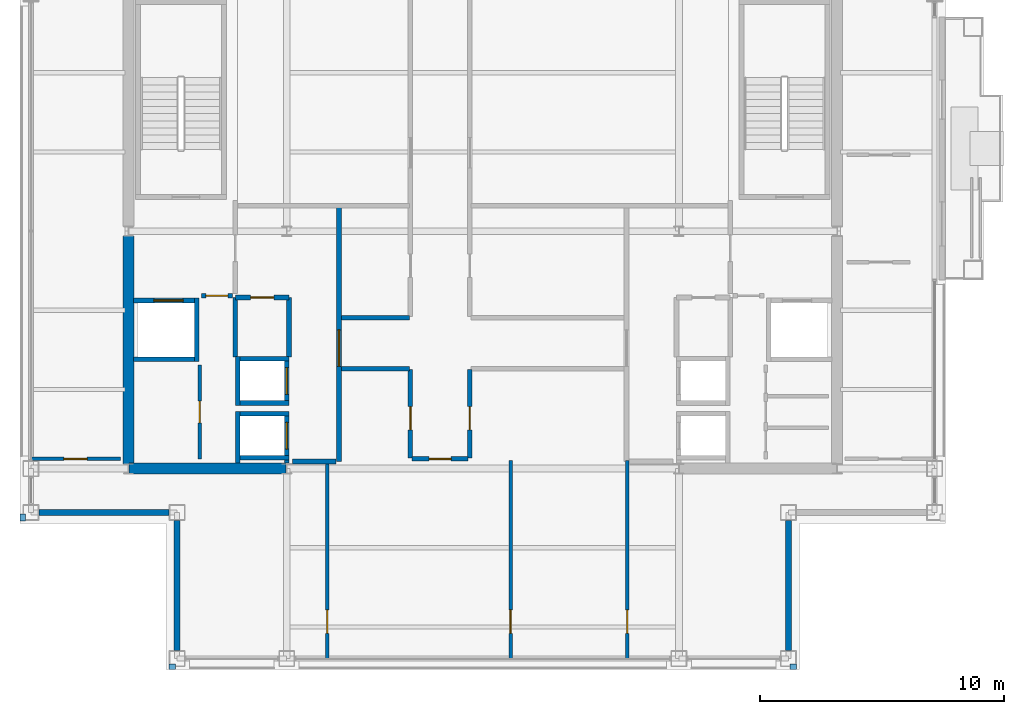
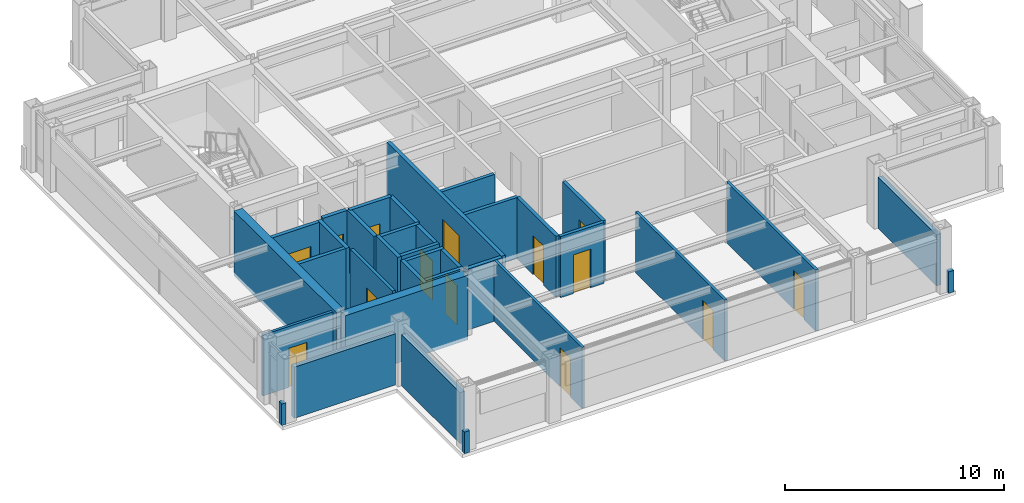
# One storey, part 19 of 24: 35 walls, 14 doors, 14 openings.
"""IFC4 building model written with IfcOpenShell, lengths in metres."""

from ifc_helpers import new_model, si_unit, direction, frame, frame_2d, origin, place, context, subcontext, project, spatial, rectangle, extrude, material, layer, layer_set, type_object, element, fill, save


model = new_model("IFC4")

# Units and contexts
model_context = context("Model", 3, precision=1e-05, world=origin(), true_north=direction((0.0, 1.0)))
body_context = subcontext(model_context, "Body", "Model", "MODEL_VIEW")
ifc_project = project(units=[si_unit("LENGTHUNIT", "METRE"), si_unit("AREAUNIT", "SQUARE_METRE"), si_unit("VOLUMEUNIT", "CUBIC_METRE"), si_unit("PLANEANGLEUNIT", "RADIAN"), si_unit("MASSUNIT", "GRAM", prefix="KILO")], contexts=[model_context])

# Site, building, storey
site_placement = place(None, origin())
site = spatial("IfcSite", under=ifc_project, at=site_placement, CompositionType="ELEMENT")
building_placement = place(site_placement, origin())
building = spatial("IfcBuilding", under=site, at=building_placement, Name="Brelmoor Portico Tower", CompositionType="ELEMENT")
storey_placement = place(building_placement, frame((0.0, 0.0, 229.199951171875)))
storey = spatial("IfcBuildingStorey", under=building, at=storey_placement, Name="L60", CompositionType="ELEMENT", Elevation=229.199951171875)

# Walls
ifc_material_1 = material(Name="Concrete C50", Category="concrete")
ifc_layer_1 = layer(ifc_material_1, 0.449951171875)
ifc_layer_set_1 = layer_set([ifc_layer_1], Name="Concrete C50")
wall_type_1 = type_object("IfcWallType", Name="WL-CORE-450", PredefinedType="SHEAR", material=ifc_layer_set_1)
wall_1_placement = place(storey_placement, frame((-14.530029296875, -9.75, -0.199951171875), z_axis=(0.0, 0.0, 1.0), x_axis=(1.0, 0.0, 0.0)))
element("IfcWall", 1, at=wall_1_placement, inside=storey, type_object=wall_type_1, Name="L60 WC South Shear Wall", PredefinedType="SHEAR", context=body_context, shape_type="SweptSolid", body=[
    extrude(rectangle(XDim=6.4599609375, YDim=0.449951171875, at=frame_2d((3.22998046875, 0.0))), origin(), (0.0, 0.0, 1.0), 3.60009765625),
])
wall_2_placement = place(storey_placement, frame((-14.550048828125, -9.550048828125, -0.199951171875), z_axis=(0.0, 0.0, 1.0), x_axis=(0.0, 1.0, 0.0)))
element("IfcWall", 2, at=wall_2_placement, inside=storey, type_object=wall_type_1, Name="L60 WC Outer South Shear Wall", PredefinedType="SHEAR", context=body_context, shape_type="SweptSolid", body=[
    extrude(rectangle(XDim=9.35009765625, YDim=0.449951171875, at=frame_2d((4.675048828125, 0.0))), origin(), (0.0, 0.0, 1.0), 3.60009765625),
])
ifc_material_2 = material(Name="Precast Concrete C40 Insulated Facade Wall", Category="concrete")
ifc_layer_2 = layer(ifc_material_2, 0.25)
ifc_layer_set_2 = layer_set([ifc_layer_2], Name="Precast Concrete C40 Insulated Facade Wall")
wall_type_2 = type_object("IfcWallType", Name="WL-EXT-250", PredefinedType="STANDARD", material=ifc_layer_set_2)
for number, where, z_axis, x_axis, name in (
    (3, (-18.215087890625, -11.550048828125, 0.0), (0.0, 0.0, 1.0), (1.0, 0.0, 0.0), "L60 Corner Notch Facade Wall NSWH1"),
    (4, (-12.550048828125, -17.215087890625, 0.0), (0.0, 0.0, 1.0), (0.0, 1.0, 0.0), "L60 Corner Notch Facade Wall NSWV1"),
    (5, (12.550048828125, -17.215087890625, 0.0), (0.0, 0.0, 1.0), (0.0, 1.0, 0.0), "L60 Corner Notch Facade Wall NSEV1"),
):
    element("IfcWall", number, at=place(storey_placement, frame(where, z_axis=z_axis, x_axis=x_axis)), inside=storey, type_object=wall_type_2, Name=name, PredefinedType="STANDARD", context=body_context, shape_type="SweptSolid", body=[
        extrude(rectangle(XDim=5.330078125, YDim=0.25, at=frame_2d((2.6650390625, 0.0))), origin(), (0.0, 0.0, 1.0), 2.85009765625),
    ])
ifc_material_3 = material(Name="Concrete C40 Parapet Upstand", Category="concrete")
ifc_layer_3 = layer(ifc_material_3, 0.219970703125)
ifc_layer_set_3 = layer_set([ifc_layer_3], Name="Concrete C40 Parapet Upstand")
wall_type_3 = type_object("IfcWallType", Name="WL-PARAPET-220", PredefinedType="PARAPET", material=ifc_layer_set_3)
for number, where, z_axis, x_axis, name in (
    (6, (-12.889892578125, -17.889892578125, 0.0), (0.0, 0.0, 1.0), (1.0, 0.0, 0.0), "L60 Chamfer Vertex Parapet Pier SW1"),
    (7, (-18.889892578125, -11.889892578125, 0.0), (0.0, 0.0, 1.0), (0.0, 1.0, 0.0), "L60 Chamfer Vertex Parapet Pier SW2"),
    (8, (12.6201171875, -17.889892578125, 0.0), (0.0, 0.0, 1.0), (1.0, 0.0, 0.0), "L60 Chamfer Vertex Parapet Pier SE1"),
):
    element("IfcWall", number, at=place(storey_placement, frame(where, z_axis=z_axis, x_axis=x_axis)), inside=storey, type_object=wall_type_3, Name=name, PredefinedType="PARAPET", context=body_context, shape_type="SweptSolid", body=[
        extrude(rectangle(XDim=0.269775390625, YDim=0.219970703125, at=frame_2d((0.134765625, 0.0))), origin(), (0.0, 0.0, 1.0), 1.199951171875),
    ])

# Wall, opening, door
ifc_material_4 = material(Name="Insulated Stud Suite Partition", Category="gypsum")
ifc_layer_4 = layer(ifc_material_4, 0.139892578125)
ifc_layer_set_4 = layer_set([ifc_layer_4], Name="Insulated Stud Suite Partition")
wall_type_4 = type_object("IfcWallType", Name="WL-PART-140", PredefinedType="PARTITIONING", material=ifc_layer_set_4)
wall_3_placement = place(storey_placement, frame((-6.3896484375, -17.56005859375, 0.0), z_axis=(0.0, 0.0, 1.0), x_axis=(0.0, 1.0, 0.0)))
wall_3 = element("IfcWall", 9, at=wall_3_placement, inside=storey, type_object=wall_type_4, Name="L60 South Suite Partition 1", PredefinedType="PARTITIONING", context=body_context, shape_type="SweptSolid", body=[
    extrude(rectangle(XDim=8.150146484375, YDim=0.139892578125, at=frame_2d((4.0751953125, 0.0))), origin(), (0.0, 0.0, 1.0), 3.400146484375),
])
opening_1_placement = place(wall_3_placement, frame((1.050048828125, 0.0, 0.0)))
opening_1 = element("IfcOpeningElement", 10, at=opening_1_placement, cuts=wall_3, Name="Opening D-IN2", PredefinedType="OPENING", context=body_context, shape_type="SweptSolid", body=[
    extrude(rectangle(XDim=0.9599609375, YDim=2.179931640625, at=frame_2d((0.47998046875, 1.08984375))), frame((0.0, 0.079833984375, 0.0), z_axis=(0.0, -1.0, 0.0), x_axis=(1.0, 0.0, 0.0)), (0.0, 0.0, 1.0), 0.159912109375),
])
ifc_material_5 = material(Name="Lacquered Timber Suite Door", Category="wood")
door_type_1 = type_object("IfcDoorType", Name="DR-INT-950", OperationType="NOTDEFINED", PredefinedType="DOOR", material=ifc_material_5)
door_1_placement = place(opening_1_placement, origin())
door_1 = element("IfcDoor", 11, at=door_1_placement, inside=storey, type_object=door_type_1, Name="D-2495 L60 South Suite Connecting Door 1", OperationType="SINGLE_SWING_LEFT", OverallHeight=2.179931640625, OverallWidth=0.9599609375, PredefinedType="DOOR", context=body_context, shape_type="SweptSolid", body=[
    extrude(rectangle(XDim=0.9599609375, YDim=2.179931640625, at=frame_2d((0.47998046875, 1.08984375))), frame((0.0, 0.02490234375, 0.0), z_axis=(0.0, -1.0, 0.0), x_axis=(1.0, 0.0, 0.0)), (0.0, 0.0, 1.0), 0.050048828125),
])
fill(opening_1, door_1)

wall_4_placement = place(storey_placement, frame((1.14111328125, -17.56005859375, 0.0), z_axis=(0.0, 0.0, 1.0), x_axis=(0.0, 1.0, 0.0)))
wall_4 = element("IfcWall", 12, at=wall_4_placement, inside=storey, type_object=wall_type_4, Name="L60 South Suite Partition 2", PredefinedType="PARTITIONING", context=body_context, shape_type="SweptSolid", body=[
    extrude(rectangle(XDim=8.150146484375, YDim=0.139892578125, at=frame_2d((4.0751953125, 0.0))), origin(), (0.0, 0.0, 1.0), 3.400146484375),
])
opening_2_placement = place(wall_4_placement, frame((1.050048828125, 0.0, 0.0)))
opening_2 = element("IfcOpeningElement", 13, at=opening_2_placement, cuts=wall_4, Name="Opening D-IN2", PredefinedType="OPENING", context=body_context, shape_type="SweptSolid", body=[
    extrude(rectangle(XDim=0.9599609375, YDim=2.179931640625, at=frame_2d((0.47998046875, 1.08984375))), frame((0.0, 0.079833984375, 0.0), z_axis=(0.0, -1.0, 0.0), x_axis=(1.0, 0.0, 0.0)), (0.0, 0.0, 1.0), 0.159912109375),
])
door_2_placement = place(opening_2_placement, origin())
door_2 = element("IfcDoor", 14, at=door_2_placement, inside=storey, type_object=door_type_1, Name="D-2496 L60 South Suite Connecting Door 2", OperationType="SINGLE_SWING_RIGHT", OverallHeight=2.179931640625, OverallWidth=0.9599609375, PredefinedType="DOOR", context=body_context, shape_type="SweptSolid", body=[
    extrude(rectangle(XDim=0.9599609375, YDim=2.179931640625, at=frame_2d((0.47998046875, 1.08984375))), frame((0.0, 0.02490234375, 0.0), z_axis=(0.0, -1.0, 0.0), x_axis=(1.0, 0.0, 0.0)), (0.0, 0.0, 1.0), 0.050048828125),
])
fill(opening_2, door_2)

wall_5_placement = place(storey_placement, frame((5.93310546875, -17.56005859375, 0.0), z_axis=(0.0, 0.0, 1.0), x_axis=(0.0, 1.0, 0.0)))
wall_5 = element("IfcWall", 15, at=wall_5_placement, inside=storey, type_object=wall_type_4, Name="L60 South Suite Partition 3", PredefinedType="PARTITIONING", context=body_context, shape_type="SweptSolid", body=[
    extrude(rectangle(XDim=8.150146484375, YDim=0.139892578125, at=frame_2d((4.0751953125, 0.0))), origin(), (0.0, 0.0, 1.0), 3.400146484375),
])
opening_3_placement = place(wall_5_placement, frame((1.050048828125, 0.0, 0.0)))
opening_3 = element("IfcOpeningElement", 16, at=opening_3_placement, cuts=wall_5, Name="Opening D-IN2", PredefinedType="OPENING", context=body_context, shape_type="SweptSolid", body=[
    extrude(rectangle(XDim=0.9599609375, YDim=2.179931640625, at=frame_2d((0.47998046875, 1.08984375))), frame((0.0, 0.079833984375, 0.0), z_axis=(0.0, -1.0, 0.0), x_axis=(1.0, 0.0, 0.0)), (0.0, 0.0, 1.0), 0.159912109375),
])
door_3_placement = place(opening_3_placement, origin())
door_3 = element("IfcDoor", 17, at=door_3_placement, inside=storey, type_object=door_type_1, Name="D-2497 L60 South Suite Connecting Door 3", OperationType="SINGLE_SWING_LEFT", OverallHeight=2.179931640625, OverallWidth=0.9599609375, PredefinedType="DOOR", context=body_context, shape_type="SweptSolid", body=[
    extrude(rectangle(XDim=0.9599609375, YDim=2.179931640625, at=frame_2d((0.47998046875, 1.08984375))), frame((0.0, 0.02490234375, 0.0), z_axis=(0.0, -1.0, 0.0), x_axis=(1.0, 0.0, 0.0)), (0.0, 0.0, 1.0), 0.050048828125),
])
fill(opening_3, door_3)

wall_6_placement = place(storey_placement, frame((-18.56005859375, -9.35009765625, 0.0), z_axis=(0.0, 0.0, 1.0), x_axis=(1.0, 0.0, 0.0)))
wall_6 = element("IfcWall", 18, at=wall_6_placement, inside=storey, type_object=wall_type_4, Name="L60 South Wing Closure WL", PredefinedType="PARTITIONING", context=body_context, shape_type="SweptSolid", body=[
    extrude(rectangle(XDim=3.68017578125, YDim=0.139892578125, at=frame_2d((1.840087890625, 0.0))), origin(), (0.0, 0.0, 1.0), 3.400146484375),
])
opening_4_placement = place(wall_6_placement, frame((1.360107421875, 0.0, 0.0)))
opening_4 = element("IfcOpeningElement", 19, at=opening_4_placement, cuts=wall_6, Name="Opening D-IN2", PredefinedType="OPENING", context=body_context, shape_type="SweptSolid", body=[
    extrude(rectangle(XDim=0.9599609375, YDim=2.179931640625, at=frame_2d((0.47998046875, 1.08984375))), frame((0.0, 0.079833984375, 0.0), z_axis=(0.0, -1.0, 0.0), x_axis=(1.0, 0.0, 0.0)), (0.0, 0.0, 1.0), 0.159912109375),
])
door_4_placement = place(opening_4_placement, origin())
door_4 = element("IfcDoor", 20, at=door_4_placement, inside=storey, type_object=door_type_1, Name="D-2501 L60 WL Wing South Suite Door", OperationType="SINGLE_SWING_LEFT", OverallHeight=2.179931640625, OverallWidth=0.9599609375, PredefinedType="DOOR", context=body_context, shape_type="SweptSolid", body=[
    extrude(rectangle(XDim=0.9599609375, YDim=2.179931640625, at=frame_2d((0.47998046875, 1.08984375))), frame((0.0, 0.02490234375, 0.0), z_axis=(0.0, -1.0, 0.0), x_axis=(1.0, 0.0, 0.0)), (0.0, 0.0, 1.0), 0.050048828125),
])
fill(opening_4, door_4)

ifc_material_6 = material(Name="Twin-Frame Acoustic Partition", Category="gypsum")
ifc_layer_5 = layer(ifc_material_6, 0.159912109375)
ifc_layer_set_5 = layer_set([ifc_layer_5], Name="Twin-Frame Acoustic Partition")
wall_type_5 = type_object("IfcWallType", Name="WL-PART-160", PredefinedType="PARTITIONING", material=ifc_layer_set_5)
wall_7_placement = place(storey_placement, frame((-11.6201171875, -9.35009765625, 0.0), z_axis=(0.0, 0.0, 1.0), x_axis=(0.0, 1.0, 0.0)))
wall_7 = element("IfcWall", 21, at=wall_7_placement, inside=storey, type_object=wall_type_5, Name="L60 W Core Service Front Wall", PredefinedType="PARTITIONING", context=body_context, shape_type="SweptSolid", body=[
    extrude(rectangle(XDim=3.85009765625, YDim=0.159912109375, at=frame_2d((1.925048828125, 0.0))), origin(), (0.0, 0.0, 1.0), 3.400146484375),
])
opening_5_placement = place(wall_7_placement, frame((1.47509765625, 0.0, 0.0)))
opening_5 = element("IfcOpeningElement", 22, at=opening_5_placement, cuts=wall_7, Name="Opening D-IN1", PredefinedType="OPENING", context=body_context, shape_type="SweptSolid", body=[
    extrude(rectangle(XDim=0.89990234375, YDim=2.14990234375, at=frame_2d((0.449951171875, 1.074951171875))), frame((0.0, 0.08984375, 0.0), z_axis=(0.0, -1.0, 0.0), x_axis=(1.0, 0.0, 0.0)), (0.0, 0.0, 1.0), 0.179931640625),
])
door_type_2 = type_object("IfcDoorType", Name="DR-INT-900", OperationType="NOTDEFINED", PredefinedType="DOOR", material=ifc_material_5)
door_5_placement = place(opening_5_placement, origin())
door_5 = element("IfcDoor", 23, at=door_5_placement, inside=storey, type_object=door_type_2, Name="D-2483 L60 W Accessible WC Door", OperationType="SINGLE_SWING_RIGHT", OverallHeight=2.14990234375, OverallWidth=0.89990234375, PredefinedType="DOOR", context=body_context, shape_type="SweptSolid", body=[
    extrude(rectangle(XDim=0.89990234375, YDim=2.14990234375, at=frame_2d((0.449951171875, 1.074951171875))), frame((0.0, 0.02490234375, 0.0), z_axis=(0.0, -1.0, 0.0), x_axis=(1.0, 0.0, 0.0)), (0.0, 0.0, 1.0), 0.050048828125),
])
fill(opening_5, door_5)

# Wall
ifc_material_7 = material(Name="Acoustic Corridor Fire Partition", Category="gypsum")
ifc_layer_6 = layer(ifc_material_7, 0.179931640625)
ifc_layer_set_6 = layer_set([ifc_layer_6], Name="Acoustic Corridor Fire Partition")
wall_type_6 = type_object("IfcWallType", Name="WL-PART-180", PredefinedType="PARTITIONING", material=ifc_layer_set_6)
wall_8_placement = place(storey_placement, frame((-5.800048828125, -3.550048828125, 0.0), z_axis=(0.0, 0.0, 1.0), x_axis=(1.0, 0.0, 0.0)))
element("IfcWall", 24, at=wall_8_placement, inside=storey, type_object=wall_type_6, Name="L60 West Pantry South Wall", PredefinedType="PARTITIONING", context=body_context, shape_type="SweptSolid", body=[
    extrude(rectangle(XDim=2.7900390625, YDim=0.179931640625, at=frame_2d((1.39501953125, 0.0))), origin(), (0.0, 0.0, 1.0), 3.400146484375),
])

# Wall, opening, door
wall_9_placement = place(storey_placement, frame((-2.969970703125, -9.31005859375, 0.0), z_axis=(0.0, 0.0, 1.0), x_axis=(0.0, 1.0, 0.0)))
wall_9 = element("IfcWall", 25, at=wall_9_placement, inside=storey, type_object=wall_type_6, Name="L60 South Cross West Wall", PredefinedType="PARTITIONING", context=body_context, shape_type="SweptSolid", body=[
    extrude(rectangle(XDim=3.630126953125, YDim=0.179931640625, at=frame_2d((1.81494140625, 0.0))), origin(), (0.0, 0.0, 1.0), 3.400146484375),
])
opening_6_placement = place(wall_9_placement, frame((1.14990234375, 0.0, 0.0)))
opening_6 = element("IfcOpeningElement", 26, at=opening_6_placement, cuts=wall_9, Name="Opening D-IN2", PredefinedType="OPENING", context=body_context, shape_type="SweptSolid", body=[
    extrude(rectangle(XDim=0.9599609375, YDim=2.179931640625, at=frame_2d((0.47998046875, 1.08984375))), frame((0.0, 0.099853515625, 0.0), z_axis=(0.0, -1.0, 0.0), x_axis=(1.0, 0.0, 0.0)), (0.0, 0.0, 1.0), 0.199951171875),
])
door_6_placement = place(opening_6_placement, origin())
door_6 = element("IfcDoor", 27, at=door_6_placement, inside=storey, type_object=door_type_1, Name="D-2475 L60 South-West Archive Room Door", OperationType="SINGLE_SWING_LEFT", OverallHeight=2.179931640625, OverallWidth=0.9599609375, PredefinedType="DOOR", context=body_context, shape_type="SweptSolid", body=[
    extrude(rectangle(XDim=0.9599609375, YDim=2.179931640625, at=frame_2d((0.47998046875, 1.08984375))), frame((0.0, 0.02490234375, 0.0), z_axis=(0.0, -1.0, 0.0), x_axis=(1.0, 0.0, 0.0)), (0.0, 0.0, 1.0), 0.050048828125),
])
fill(opening_6, door_6)

wall_10_placement = place(storey_placement, frame((-0.530029296875, -9.31005859375, 0.0), z_axis=(0.0, 0.0, 1.0), x_axis=(0.0, 1.0, 0.0)))
wall_10 = element("IfcWall", 28, at=wall_10_placement, inside=storey, type_object=wall_type_6, Name="L60 South Cross East Wall", PredefinedType="PARTITIONING", context=body_context, shape_type="SweptSolid", body=[
    extrude(rectangle(XDim=3.630126953125, YDim=0.179931640625, at=frame_2d((1.81494140625, 0.0))), origin(), (0.0, 0.0, 1.0), 3.400146484375),
])
opening_7_placement = place(wall_10_placement, frame((1.14990234375, 0.0, 0.0)))
opening_7 = element("IfcOpeningElement", 29, at=opening_7_placement, cuts=wall_10, Name="Opening D-IN2", PredefinedType="OPENING", context=body_context, shape_type="SweptSolid", body=[
    extrude(rectangle(XDim=0.9599609375, YDim=2.179931640625, at=frame_2d((0.47998046875, 1.08984375))), frame((0.0, 0.099853515625, 0.0), z_axis=(0.0, -1.0, 0.0), x_axis=(1.0, 0.0, 0.0)), (0.0, 0.0, 1.0), 0.199951171875),
])
door_7_placement = place(opening_7_placement, origin())
door_7 = element("IfcDoor", 30, at=door_7_placement, inside=storey, type_object=door_type_1, Name="D-2474 L60 South-East Partner Office Door", OperationType="SINGLE_SWING_RIGHT", OverallHeight=2.179931640625, OverallWidth=0.9599609375, PredefinedType="DOOR", context=body_context, shape_type="SweptSolid", body=[
    extrude(rectangle(XDim=0.9599609375, YDim=2.179931640625, at=frame_2d((0.47998046875, 1.08984375))), frame((0.0, 0.02490234375, 0.0), z_axis=(0.0, -1.0, 0.0), x_axis=(1.0, 0.0, 0.0)), (0.0, 0.0, 1.0), 0.050048828125),
])
fill(opening_7, door_7)

# Wall
wall_11_placement = place(storey_placement, frame((-5.800048828125, -5.64990234375, 0.0), z_axis=(0.0, 0.0, 1.0), x_axis=(1.0, 0.0, 0.0)))
element("IfcWall", 31, at=wall_11_placement, inside=storey, type_object=wall_type_6, Name="L60 South-West Chamber Top Wall", PredefinedType="PARTITIONING", context=body_context, shape_type="SweptSolid", body=[
    extrude(rectangle(XDim=2.7900390625, YDim=0.179931640625, at=frame_2d((1.39501953125, 0.0))), origin(), (0.0, 0.0, 1.0), 3.400146484375),
])

# Wall, opening, door
wall_12_placement = place(storey_placement, frame((-2.89990234375, -9.35009765625, 0.0), z_axis=(0.0, 0.0, 1.0), x_axis=(1.0, 0.0, 0.0)))
wall_12 = element("IfcWall", 32, at=wall_12_placement, inside=storey, type_object=wall_type_6, Name="L60 South Corridor Partition", PredefinedType="PARTITIONING", context=body_context, shape_type="SweptSolid", body=[
    extrude(rectangle(XDim=2.2998046875, YDim=0.179931640625, at=frame_2d((1.14990234375, 0.0))), origin(), (0.0, 0.0, 1.0), 3.400146484375),
])
opening_8_placement = place(wall_12_placement, frame((0.699951171875, 0.0, 0.0)))
opening_8 = element("IfcOpeningElement", 33, at=opening_8_placement, cuts=wall_12, Name="Opening D-IN1", PredefinedType="OPENING", context=body_context, shape_type="SweptSolid", body=[
    extrude(rectangle(XDim=0.89990234375, YDim=2.14990234375, at=frame_2d((0.449951171875, 1.074951171875))), frame((0.0, 0.099853515625, 0.0), z_axis=(0.0, -1.0, 0.0), x_axis=(1.0, 0.0, 0.0)), (0.0, 0.0, 1.0), 0.199951171875),
])
door_8_placement = place(opening_8_placement, origin())
door_8 = element("IfcDoor", 34, at=door_8_placement, inside=storey, type_object=door_type_2, Name="D-2494 L60 South Technical Storage 2 Door", OperationType="SINGLE_SWING_RIGHT", OverallHeight=2.14990234375, OverallWidth=0.89990234375, PredefinedType="DOOR", context=body_context, shape_type="SweptSolid", body=[
    extrude(rectangle(XDim=0.89990234375, YDim=2.14990234375, at=frame_2d((0.449951171875, 1.074951171875))), frame((0.0, 0.02490234375, 0.0), z_axis=(0.0, -1.0, 0.0), x_axis=(1.0, 0.0, 0.0)), (0.0, 0.0, 1.0), 0.050048828125),
])
fill(opening_8, door_8)

ifc_material_8 = material(Name="Double-Stud Gypsum Fire Partition", Category="gypsum")
ifc_layer_7 = layer(ifc_material_8, 0.199951171875)
ifc_layer_set_7 = layer_set([ifc_layer_7], Name="Double-Stud Gypsum Fire Partition")
wall_type_7 = type_object("IfcWallType", Name="WL-PART-200", PredefinedType="PARTITIONING", material=ifc_layer_set_7)
wall_13_placement = place(storey_placement, frame((-5.89990234375, -9.449951171875, 0.0), z_axis=(0.0, 0.0, 1.0), x_axis=(0.0, 1.0, 0.0)))
wall_13 = element("IfcWall", 35, at=wall_13_placement, inside=storey, type_object=wall_type_7, Name="L60 W Core Lobby Compartment Wall", PredefinedType="PARTITIONING", context=body_context, shape_type="SweptSolid", body=[
    extrude(rectangle(XDim=10.5, YDim=0.199951171875, at=frame_2d((5.25, 0.0))), origin(), (0.0, 0.0, 1.0), 3.400146484375),
])
opening_9_placement = place(wall_13_placement, frame((3.89990234375, 0.0, 0.0)))
opening_9 = element("IfcOpeningElement", 36, at=opening_9_placement, cuts=wall_13, Name="Opening D-LB1", PredefinedType="OPENING", context=body_context, shape_type="SweptSolid", body=[
    extrude(rectangle(XDim=1.5, YDim=2.199951171875, at=frame_2d((0.75, 1.10009765625))), frame((0.0, 0.10986328125, 0.0), z_axis=(0.0, -1.0, 0.0), x_axis=(1.0, 0.0, 0.0)), (0.0, 0.0, 1.0), 0.219970703125),
])
ifc_material_9 = material(Name="Double-Leaf Glazed Steel Fire Door", Category="steel")
door_type_3 = type_object("IfcDoorType", Name="DR-LOBBY-1500", OperationType="NOTDEFINED", PredefinedType="DOOR", material=ifc_material_9)
door_9_placement = place(opening_9_placement, origin())
door_9 = element("IfcDoor", 37, at=door_9_placement, inside=storey, type_object=door_type_3, Name="D-2489 L60 W Lift Lobby Main Door", OperationType="DOUBLE_DOOR_SINGLE_SWING", OverallHeight=2.199951171875, OverallWidth=1.5, PredefinedType="DOOR", context=body_context, shape_type="SweptSolid", body=[
    extrude(rectangle(XDim=1.5, YDim=2.199951171875, at=frame_2d((0.75, 1.10009765625))), frame((0.0, 0.02490234375, 0.0), z_axis=(0.0, -1.0, 0.0), x_axis=(1.0, 0.0, 0.0)), (0.0, 0.0, 1.0), 0.050048828125),
])
fill(opening_9, door_9)

# Wall
wall_14_placement = place(storey_placement, frame((-6.02001953125, -9.449951171875, 0.0), z_axis=(0.0, 0.0, 1.0), x_axis=(-1.0, 0.0, 0.0)))
element("IfcWall", 38, at=wall_14_placement, inside=storey, type_object=wall_type_7, Name="L60 W Lift Lobby South End Wall", PredefinedType="PARTITIONING", context=body_context, shape_type="SweptSolid", body=[
    extrude(rectangle(XDim=1.800048828125, YDim=0.199951171875, at=frame_2d((0.89990234375, 0.0))), origin(), (0.0, 0.0, 1.0), 3.400146484375),
])

# Wall, opening, door
wall_15_placement = place(storey_placement, frame((-10.280029296875, -2.64990234375, 0.0), z_axis=(0.0, 0.0, 1.0), x_axis=(-1.0, 0.0, 0.0)))
wall_15 = element("IfcWall", 39, at=wall_15_placement, inside=storey, type_object=wall_type_7, Name="L60 W Firefighting Lobby South Wall", PredefinedType="PARTITIONING", context=body_context, shape_type="SweptSolid", body=[
    extrude(rectangle(XDim=1.27001953125, YDim=0.199951171875, at=frame_2d((0.635009765625, 0.0))), origin(), (0.0, 0.0, 1.0), 3.400146484375),
])
opening_10_placement = place(wall_15_placement, frame((0.18505859375, 0.0, 0.0)))
opening_10 = element("IfcOpeningElement", 40, at=opening_10_placement, cuts=wall_15, Name="Opening D-IN1", PredefinedType="OPENING", context=body_context, shape_type="SweptSolid", body=[
    extrude(rectangle(XDim=0.89990234375, YDim=2.14990234375, at=frame_2d((0.449951171875, 1.074951171875))), frame((0.0, 0.10986328125, 0.0), z_axis=(0.0, -1.0, 0.0), x_axis=(1.0, 0.0, 0.0)), (0.0, 0.0, 1.0), 0.219970703125),
])
door_10_placement = place(opening_10_placement, origin())
door_10 = element("IfcDoor", 41, at=door_10_placement, inside=storey, type_object=door_type_2, Name="D-2482 L60 W Core Service Vestibule Door", OperationType="SINGLE_SWING_RIGHT", OverallHeight=2.14990234375, OverallWidth=0.89990234375, PredefinedType="DOOR", context=body_context, shape_type="SweptSolid", body=[
    extrude(rectangle(XDim=0.89990234375, YDim=2.14990234375, at=frame_2d((0.449951171875, 1.074951171875))), frame((0.0, 0.02490234375, 0.0), z_axis=(0.0, -1.0, 0.0), x_axis=(1.0, 0.0, 0.0)), (0.0, 0.0, 1.0), 0.050048828125),
])
fill(opening_10, door_10)

wall_16_placement = place(storey_placement, frame((-7.9599609375, -2.719970703125, 0.0), z_axis=(0.0, 0.0, 1.0), x_axis=(-1.0, 0.0, 0.0)))
wall_16 = element("IfcWall", 42, at=wall_16_placement, inside=storey, type_object=wall_type_7, Name="L60 W Electrical Switchgear Closet Wall", PredefinedType="PARTITIONING", context=body_context, shape_type="SweptSolid", body=[
    extrude(rectangle(XDim=2.199951171875, YDim=0.199951171875, at=frame_2d((1.10009765625, 0.0))), origin(), (0.0, 0.0, 1.0), 3.400146484375),
])
opening_11_placement = place(wall_16_placement, frame((0.6201171875, 0.0, 0.0)))
opening_11 = element("IfcOpeningElement", 43, at=opening_11_placement, cuts=wall_16, Name="Opening D-FR4", PredefinedType="OPENING", context=body_context, shape_type="SweptSolid", body=[
    extrude(rectangle(XDim=0.949951171875, YDim=2.10009765625, at=frame_2d((0.47509765625, 1.050048828125))), frame((0.0, 0.10986328125, 0.0), z_axis=(0.0, -1.0, 0.0), x_axis=(1.0, 0.0, 0.0)), (0.0, 0.0, 1.0), 0.219970703125),
])
ifc_material_10 = material(Name="Painted Galvanised Steel Riser Door", Category="steel")
door_type_4 = type_object("IfcDoorType", Name="DR-FIRE-950", OperationType="NOTDEFINED", PredefinedType="DOOR", material=ifc_material_10)
door_11_placement = place(opening_11_placement, origin())
door_11 = element("IfcDoor", 44, at=door_11_placement, inside=storey, type_object=door_type_4, Name="D-2485 L60 W Electrical Switchgear Closet Door", OperationType="SINGLE_SWING_LEFT", OverallHeight=2.10009765625, OverallWidth=0.949951171875, PredefinedType="DOOR", context=body_context, shape_type="SweptSolid", body=[
    extrude(rectangle(XDim=0.949951171875, YDim=2.10009765625, at=frame_2d((0.47509765625, 1.050048828125))), frame((0.0, 0.02490234375, 0.0), z_axis=(0.0, -1.0, 0.0), x_axis=(1.0, 0.0, 0.0)), (0.0, 0.0, 1.0), 0.050048828125),
])
fill(opening_11, door_11)

# Walls
for number, where, z_axis, x_axis, name in (
    (45, (-7.9599609375, -5.159912109375, 0.0), (0.0, 0.0, 1.0), (0.0, 1.0, 0.0), "L60 W Electrical Switchgear Closet Inner Wall"),
    (46, (-10.159912109375, -5.159912109375, 0.0), (0.0, 0.0, 1.0), (0.0, 1.0, 0.0), "L60 W Electrical Switchgear Closet Outer Wall"),
):
    element("IfcWall", number, at=place(storey_placement, frame(where, z_axis=z_axis, x_axis=x_axis)), inside=storey, type_object=wall_type_7, Name=name, PredefinedType="PARTITIONING", context=body_context, shape_type="SweptSolid", body=[
        extrude(rectangle(XDim=2.43994140625, YDim=0.199951171875, at=frame_2d((1.219970703125, 0.0))), origin(), (0.0, 0.0, 1.0), 3.400146484375),
    ])

# Wall, opening, door
ifc_material_11 = material(Name="Precast Concrete C40", Category="concrete")
ifc_layer_8 = layer(ifc_material_11, 0.18994140625)
ifc_layer_set_8 = layer_set([ifc_layer_8], Name="Precast Concrete C40")
wall_type_8 = type_object("IfcWallType", Name="WL-SHAFT-180", PredefinedType="SOLIDWALL", material=ifc_layer_set_8)
wall_17_placement = place(storey_placement, frame((-8.044921875, -9.52001953125, -0.199951171875), z_axis=(0.0, 0.0, 1.0), x_axis=(0.0, 1.0, 0.0)))
wall_17 = element("IfcWall", 47, at=wall_17_placement, inside=storey, type_object=wall_type_8, Name="L60 Lift PH1 Hoistway Front Wall", PredefinedType="SOLIDWALL", context=body_context, shape_type="SweptSolid", body=[
    extrude(rectangle(XDim=2.1201171875, YDim=0.18994140625, at=frame_2d((1.06005859375, 0.0))), origin(), (0.0, 0.0, 1.0), 3.60009765625),
])
opening_12_placement = place(wall_17_placement, frame((0.570068359375, 0.0, 0.199951171875)))
opening_12 = element("IfcOpeningElement", 48, at=opening_12_placement, cuts=wall_17, Name="Opening LD-01", PredefinedType="OPENING", context=body_context, shape_type="SweptSolid", body=[
    extrude(rectangle(XDim=1.10009765625, YDim=2.199951171875, at=frame_2d((0.550048828125, 1.10009765625))), frame((0.0, 0.10498046875, 0.0), z_axis=(0.0, -1.0, 0.0), x_axis=(1.0, 0.0, 0.0)), (0.0, 0.0, 1.0), 0.2099609375),
])
ifc_material_12 = material(Name="Brushed Stainless Steel Sliding Lift Door", Category="steel")
door_type_5 = type_object("IfcDoorType", Name="DR-LIFT-1100", OperationType="NOTDEFINED", PredefinedType="DOOR", material=ifc_material_12)
door_12_placement = place(opening_12_placement, origin())
door_12 = element("IfcDoor", 49, at=door_12_placement, inside=storey, type_object=door_type_5, Name="D-2508 L60 Lift PH1 Sliding Landing Door", OperationType="SLIDING_TO_LEFT", OverallHeight=2.199951171875, OverallWidth=1.10009765625, PredefinedType="DOOR", context=body_context, shape_type="SweptSolid", body=[
    extrude(rectangle(XDim=1.10009765625, YDim=2.199951171875, at=frame_2d((0.550048828125, 1.10009765625))), frame((0.0, 0.02490234375, 0.0), z_axis=(0.0, -1.0, 0.0), x_axis=(1.0, 0.0, 0.0)), (0.0, 0.0, 1.0), 0.050048828125),
])
fill(opening_12, door_12)

# Walls
wall_18_placement = place(storey_placement, frame((-10.054931640625, -9.52001953125, -0.199951171875), z_axis=(0.0, 0.0, 1.0), x_axis=(0.0, 1.0, 0.0)))
element("IfcWall", 50, at=wall_18_placement, inside=storey, type_object=wall_type_8, Name="L60 Lift PH1 Hoistway Back Wall", PredefinedType="SOLIDWALL", context=body_context, shape_type="SweptSolid", body=[
    extrude(rectangle(XDim=2.1201171875, YDim=0.18994140625, at=frame_2d((1.06005859375, 0.0))), origin(), (0.0, 0.0, 1.0), 3.60009765625),
])
for number, where, z_axis, x_axis, name in (
    (51, (-10.14990234375, -7.4951171875, -0.199951171875), (0.0, 0.0, 1.0), (1.0, 0.0, 0.0), "L60 Lift PH1 Hoistway North Wall"),
    (52, (-10.14990234375, -9.304931640625, -0.199951171875), (0.0, 0.0, 1.0), (1.0, 0.0, 0.0), "L60 Lift PH1 Hoistway South Wall"),
):
    element("IfcWall", number, at=place(storey_placement, frame(where, z_axis=z_axis, x_axis=x_axis)), inside=storey, type_object=wall_type_8, Name=name, PredefinedType="SOLIDWALL", context=body_context, shape_type="SweptSolid", body=[
        extrude(rectangle(XDim=2.199951171875, YDim=0.18994140625, at=frame_2d((1.10009765625, 0.0))), origin(), (0.0, 0.0, 1.0), 3.60009765625),
    ])

# Wall, opening, door
wall_19_placement = place(storey_placement, frame((-8.044921875, -7.14990234375, -0.199951171875), z_axis=(0.0, 0.0, 1.0), x_axis=(0.0, 1.0, 0.0)))
wall_19 = element("IfcWall", 53, at=wall_19_placement, inside=storey, type_object=wall_type_8, Name="L60 Lift PH2 Hoistway Front Wall", PredefinedType="SOLIDWALL", context=body_context, shape_type="SweptSolid", body=[
    extrude(rectangle(XDim=2.0, YDim=0.18994140625, at=frame_2d((1.0, 0.0))), origin(), (0.0, 0.0, 1.0), 3.60009765625),
])
opening_13_placement = place(wall_19_placement, frame((0.449951171875, 0.0, 0.199951171875)))
opening_13 = element("IfcOpeningElement", 54, at=opening_13_placement, cuts=wall_19, Name="Opening LD-01", PredefinedType="OPENING", context=body_context, shape_type="SweptSolid", body=[
    extrude(rectangle(XDim=1.10009765625, YDim=2.199951171875, at=frame_2d((0.550048828125, 1.10009765625))), frame((0.0, 0.10498046875, 0.0), z_axis=(0.0, -1.0, 0.0), x_axis=(1.0, 0.0, 0.0)), (0.0, 0.0, 1.0), 0.2099609375),
])
door_13_placement = place(opening_13_placement, origin())
door_13 = element("IfcDoor", 55, at=door_13_placement, inside=storey, type_object=door_type_5, Name="D-2509 L60 Lift PH2 Sliding Landing Door", OperationType="SLIDING_TO_LEFT", OverallHeight=2.199951171875, OverallWidth=1.10009765625, PredefinedType="DOOR", context=body_context, shape_type="SweptSolid", body=[
    extrude(rectangle(XDim=1.10009765625, YDim=2.199951171875, at=frame_2d((0.550048828125, 1.10009765625))), frame((0.0, 0.02490234375, 0.0), z_axis=(0.0, -1.0, 0.0), x_axis=(1.0, 0.0, 0.0)), (0.0, 0.0, 1.0), 0.050048828125),
])
fill(opening_13, door_13)

# Walls
wall_20_placement = place(storey_placement, frame((-10.054931640625, -7.14990234375, -0.199951171875), z_axis=(0.0, 0.0, 1.0), x_axis=(0.0, 1.0, 0.0)))
element("IfcWall", 56, at=wall_20_placement, inside=storey, type_object=wall_type_8, Name="L60 Lift PH2 Hoistway Back Wall", PredefinedType="SOLIDWALL", context=body_context, shape_type="SweptSolid", body=[
    extrude(rectangle(XDim=2.0, YDim=0.18994140625, at=frame_2d((1.0, 0.0))), origin(), (0.0, 0.0, 1.0), 3.60009765625),
])
for number, where, z_axis, x_axis, name in (
    (57, (-10.14990234375, -5.2451171875, -0.199951171875), (0.0, 0.0, 1.0), (1.0, 0.0, 0.0), "L60 Lift PH2 Hoistway North Wall"),
    (58, (-10.14990234375, -7.054931640625, -0.199951171875), (0.0, 0.0, 1.0), (1.0, 0.0, 0.0), "L60 Lift PH2 Hoistway South Wall"),
):
    element("IfcWall", number, at=place(storey_placement, frame(where, z_axis=z_axis, x_axis=x_axis)), inside=storey, type_object=wall_type_8, Name=name, PredefinedType="SOLIDWALL", context=body_context, shape_type="SweptSolid", body=[
        extrude(rectangle(XDim=2.199951171875, YDim=0.18994140625, at=frame_2d((1.10009765625, 0.0))), origin(), (0.0, 0.0, 1.0), 3.60009765625),
    ])

# Wall, opening, door
wall_21_placement = place(storey_placement, frame((-14.330078125, -2.844970703125, -0.199951171875), z_axis=(0.0, 0.0, 1.0), x_axis=(1.0, 0.0, 0.0)))
wall_21 = element("IfcWall", 59, at=wall_21_placement, inside=storey, type_object=wall_type_8, Name="L60 Lift FF1 Hoistway Front Wall", PredefinedType="SOLIDWALL", context=body_context, shape_type="SweptSolid", body=[
    extrude(rectangle(XDim=2.68017578125, YDim=0.18994140625, at=frame_2d((1.340087890625, 0.0))), origin(), (0.0, 0.0, 1.0), 3.60009765625),
])
opening_14_placement = place(wall_21_placement, frame((0.830078125, 0.0, 0.199951171875)))
opening_14 = element("IfcOpeningElement", 60, at=opening_14_placement, cuts=wall_21, Name="Opening LD-02", PredefinedType="OPENING", context=body_context, shape_type="SweptSolid", body=[
    extrude(rectangle(XDim=1.199951171875, YDim=2.199951171875, at=frame_2d((0.60009765625, 1.10009765625))), frame((0.0, 0.10498046875, 0.0), z_axis=(0.0, -1.0, 0.0), x_axis=(1.0, 0.0, 0.0)), (0.0, 0.0, 1.0), 0.2099609375),
])
ifc_material_13 = material(Name="Brushed Stainless Steel Firefighting Lift Door", Category="steel")
door_type_6 = type_object("IfcDoorType", Name="DR-LIFT-1200", OperationType="NOTDEFINED", PredefinedType="DOOR", material=ifc_material_13)
door_14_placement = place(opening_14_placement, origin())
door_14 = element("IfcDoor", 61, at=door_14_placement, inside=storey, type_object=door_type_6, Name="D-2506 L60 Lift FF1 Sliding Landing Door", OperationType="SLIDING_TO_LEFT", OverallHeight=2.199951171875, OverallWidth=1.199951171875, PredefinedType="DOOR", context=body_context, shape_type="SweptSolid", body=[
    extrude(rectangle(XDim=1.199951171875, YDim=2.199951171875, at=frame_2d((0.60009765625, 1.10009765625))), frame((0.0, 0.02490234375, 0.0), z_axis=(0.0, -1.0, 0.0), x_axis=(1.0, 0.0, 0.0)), (0.0, 0.0, 1.0), 0.050048828125),
])
fill(opening_14, door_14)

# Walls
wall_22_placement = place(storey_placement, frame((-14.330078125, -5.2548828125, -0.199951171875), z_axis=(0.0, 0.0, 1.0), x_axis=(1.0, 0.0, 0.0)))
element("IfcWall", 62, at=wall_22_placement, inside=storey, type_object=wall_type_8, Name="L60 Firefighting Lift FF1 South Wall", PredefinedType="SOLIDWALL", context=body_context, shape_type="SweptSolid", body=[
    extrude(rectangle(XDim=2.68017578125, YDim=0.18994140625, at=frame_2d((1.340087890625, 0.0))), origin(), (0.0, 0.0, 1.0), 3.60009765625),
])
wall_23_placement = place(storey_placement, frame((-11.7451171875, -5.35009765625, -0.199951171875), z_axis=(0.0, 0.0, 1.0), x_axis=(0.0, 1.0, 0.0)))
element("IfcWall", 63, at=wall_23_placement, inside=storey, type_object=wall_type_8, Name="L60 Firefighting Lift FF1 Inner Wall", PredefinedType="SOLIDWALL", context=body_context, shape_type="SweptSolid", body=[
    extrude(rectangle(XDim=2.60009765625, YDim=0.18994140625, at=frame_2d((1.300048828125, 0.0))), origin(), (0.0, 0.0, 1.0), 3.60009765625),
])

save(model, "model.ifc")
